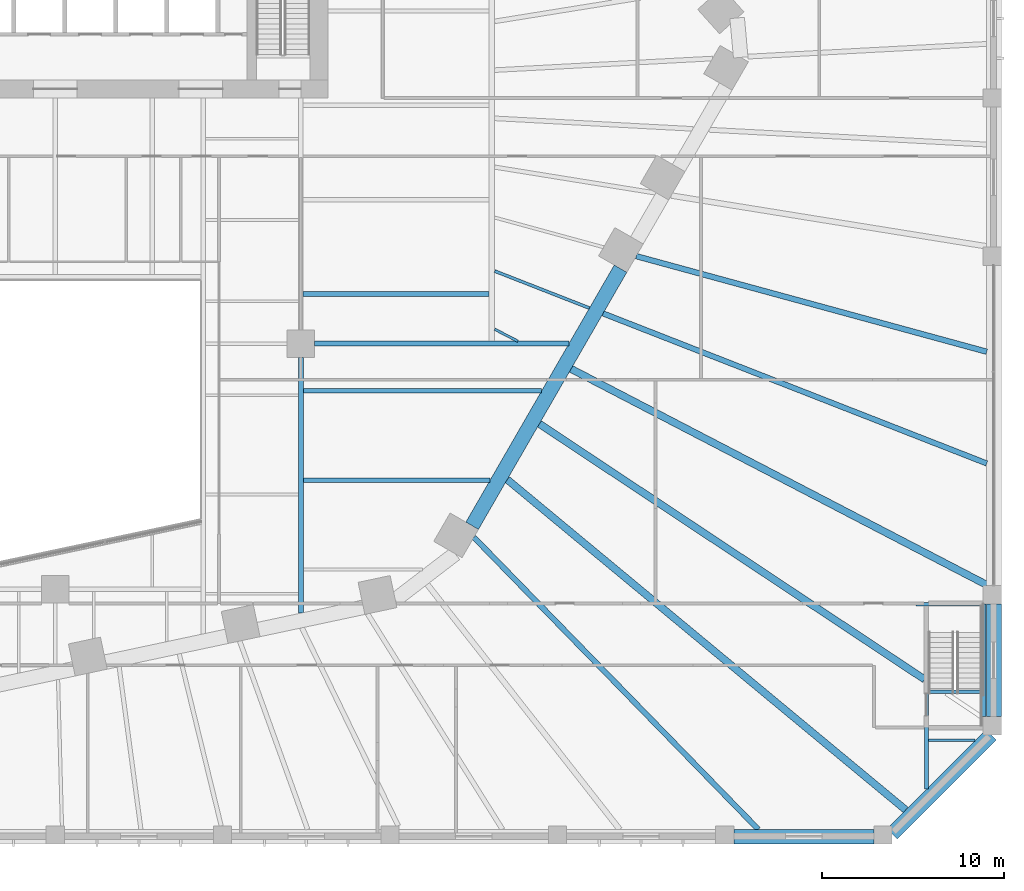
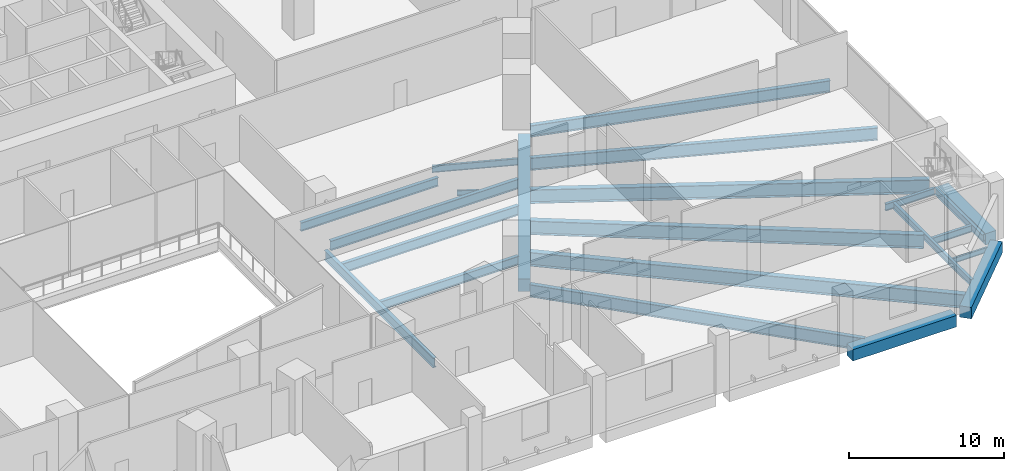
# One storey, part 7 of 33: 22 beams.
"""IFC4 building model written with IfcOpenShell, lengths in metres."""

from ifc_helpers import new_model, si_unit, direction, frame, origin, origin_2d, place, context, subcontext, project, spatial, rectangle, i_section, extrude, material, material_profile, profile_set, type_object, element, save


model = new_model("IFC4")

# Units and contexts
model_context = context("Model", 3, precision=1e-05, world=origin(), true_north=direction((0.0, 1.0)))
body_context = subcontext(model_context, "Body", "Model", "MODEL_VIEW")
ifc_project = project(units=[si_unit("LENGTHUNIT", "METRE"), si_unit("AREAUNIT", "SQUARE_METRE"), si_unit("VOLUMEUNIT", "CUBIC_METRE"), si_unit("PLANEANGLEUNIT", "RADIAN"), si_unit("MASSUNIT", "GRAM", prefix="KILO")], contexts=[model_context])

# Site, building, storey
site_placement = place(None, origin())
site = spatial("IfcSite", under=ifc_project, at=site_placement, CompositionType="ELEMENT")
building_placement = place(site_placement, origin())
building = spatial("IfcBuilding", under=site, at=building_placement, Name="Isthmus Gate Tower", CompositionType="ELEMENT")
storey_placement = place(building_placement, frame((0.0, 0.0, 31.5)))
storey = spatial("IfcBuildingStorey", under=building, at=storey_placement, Name="L05", CompositionType="ELEMENT", Elevation=31.5)

# Beams
ifc_material_1 = material(Name="Concrete f'c 70 MPa", Category="concrete")
ifc_material_profile_1 = material_profile(ifc_material_1, rectangle(XDim=0.800048828125, YDim=0.89990234375, at=origin_2d()), Name="RC 800X900")
ifc_profile_set_1 = profile_set([ifc_material_profile_1], Name="Concrete f'c 70 MPa")
beam_type_1 = type_object("IfcBeamType", Name="RC EDGE BEAM 800 X 900", PredefinedType="BEAM", material=ifc_profile_set_1)
beam_1_placement = place(storey_placement, frame((51.60009765625, -27.800048828125, -0.75), z_axis=(0.0, -1.0, 0.0), x_axis=(1.0, 0.0, 0.0)))
element("IfcBeam", 1, at=beam_1_placement, inside=storey, type_object=beam_type_1, Name="str-edgebeam-L05-26", PredefinedType="BEAM", context=body_context, shape_type="SweptSolid", body=[
    extrude(rectangle(XDim=0.800048828125, YDim=0.89990234375, at=origin_2d()), origin(), (0.0, 0.0, 1.0), 6.199951171875),
])
beam_2_placement = place(storey_placement, frame((51.434326171875, -35.0, -0.75), z_axis=(-0.707106781187, -0.707106781187, 0.0), x_axis=(0.707106781187, -0.707106781187, 0.0)))
element("IfcBeam", 2, at=beam_2_placement, inside=storey, type_object=beam_type_1, Name="str-edgebeam-L05-27", PredefinedType="BEAM", context=body_context, shape_type="SweptSolid", body=[
    extrude(rectangle(XDim=0.800048828125, YDim=0.89990234375, at=origin_2d()), origin(), (0.0, 0.0, 1.0), 7.685302734375),
])
beam_3_placement = place(storey_placement, frame((45.0, -40.60009765625, -0.75), z_axis=(-1.0, 0.0, 0.0), x_axis=(0.0, -1.0, 0.0)))
element("IfcBeam", 3, at=beam_3_placement, inside=storey, type_object=beam_type_1, Name="str-edgebeam-L05-28", PredefinedType="BEAM", context=body_context, shape_type="SweptSolid", body=[
    extrude(rectangle(XDim=0.800048828125, YDim=0.89990234375, at=origin_2d()), origin(), (0.0, 0.0, 1.0), 7.699951171875),
])
ifc_material_2 = material(Name="Concrete f'c 70 MPa", Category="concrete")
ifc_material_profile_2 = material_profile(ifc_material_2, rectangle(XDim=0.800048828125, YDim=1.0, at=origin_2d()), Name="RC 800X1000")
ifc_profile_set_2 = profile_set([ifc_material_profile_2], Name="Concrete f'c 70 MPa")
beam_type_2 = type_object("IfcBeamType", Name="RC TUBE RING BEAM 800 X 1000", PredefinedType="BEAM", material=ifc_profile_set_2)
beam_4_placement = place(storey_placement, frame((31.0732421875, -9.37939453125, -0.800048828125), z_axis=(-0.499991872758, -0.866030095999, 0.0), x_axis=(0.866030095999, -0.499991872758, 0.0)))
element("IfcBeam", 4, at=beam_4_placement, inside=storey, type_object=beam_type_2, Name="str-ringbeam-L05-08", PredefinedType="BEAM", context=body_context, shape_type="SweptSolid", body=[
    extrude(rectangle(XDim=0.800048828125, YDim=1.0, at=origin_2d()), origin(), (0.0, 0.0, 1.0), 16.315673828125),
])
ifc_material_3 = material(Name="Structural steel ASTM A992 Gr 50", Category="steel")
ifc_material_profile_3 = material_profile(ifc_material_3, i_section(OverallWidth=0.1396484375, OverallDepth=0.4033203125, WebThickness=0.00634765625, FlangeThickness=0.010986328125, at=origin_2d()), Name="W16X31")
ifc_profile_set_3 = profile_set([ifc_material_profile_3], Name="Structural steel ASTM A992 Gr 50")
beam_type_3 = type_object("IfcBeamType", Name="STEEL FLOOR BEAM W16X31", PredefinedType="JOIST", material=ifc_profile_set_3)
beam_5_placement = place(storey_placement, frame((24.15234375, -12.70458984375, -0.501708984375), z_axis=(0.887311444144, -0.46117068542, 0.0), x_axis=(0.46117068542, 0.887311444144, 0.0)))
element("IfcBeam", 5, at=beam_5_placement, inside=storey, type_object=beam_type_3, Name="str-beam-L05-19-63", PredefinedType="JOIST", context=body_context, shape_type="SweptSolid", body=[
    extrude(i_section(OverallWidth=0.1396484375, OverallDepth=0.4033203125, WebThickness=0.00634765625, FlangeThickness=0.010986328125, at=origin_2d()), origin(), (0.0, 0.0, 1.0), 1.435791015625),
])
beam_6_placement = place(storey_placement, frame((48.0, -35.301513671875, -0.501708984375), z_axis=(1.0, 0.0, 0.0), x_axis=(0.0, 1.0, 0.0)))
element("IfcBeam", 6, at=beam_6_placement, inside=storey, type_object=beam_type_3, Name="str-beam-L05-36-00", PredefinedType="JOIST", context=body_context, shape_type="SweptSolid", body=[
    extrude(i_section(OverallWidth=0.1396484375, OverallDepth=0.4033203125, WebThickness=0.00634765625, FlangeThickness=0.010986328125, at=origin_2d()), origin(), (0.0, 0.0, 1.0), 2.567138671875),
])
ifc_material_4 = material(Name="Structural steel ASTM A992 Gr 50", Category="steel")
ifc_material_profile_4 = material_profile(ifc_material_4, i_section(OverallWidth=0.1650390625, OverallDepth=0.52392578125, WebThickness=0.009521484375, FlangeThickness=0.010986328125, at=origin_2d()), Name="W21X44")
ifc_profile_set_4 = profile_set([ifc_material_profile_4], Name="Structural steel ASTM A992 Gr 50")
beam_type_4 = type_object("IfcBeamType", Name="STEEL FLOOR BEAM W21X44", PredefinedType="JOIST", material=ifc_profile_set_4)
beam_7_placement = place(storey_placement, frame((24.15234375, -9.508056640625, -0.56201171875), z_axis=(0.931344501057, -0.364139287018, 0.0), x_axis=(0.364139287018, 0.931344501057, 0.0)))
element("IfcBeam", 7, at=beam_7_placement, inside=storey, type_object=beam_type_4, Name="str-beam-L05-19-65", PredefinedType="JOIST", context=body_context, shape_type="SweptSolid", body=[
    extrude(i_section(OverallWidth=0.1650390625, OverallDepth=0.52392578125, WebThickness=0.009521484375, FlangeThickness=0.010986328125, at=origin_2d()), origin(), (0.0, 0.0, 1.0), 5.593017578125),
])
ifc_material_5 = material(Name="Structural steel ASTM A992 Gr 50", Category="steel")
ifc_material_profile_5 = material_profile(ifc_material_5, i_section(OverallWidth=0.25390625, OverallDepth=0.679443359375, WebThickness=0.010986328125, FlangeThickness=0.015869140625, at=origin_2d()), Name="W27X84")
ifc_profile_set_5 = profile_set([ifc_material_profile_5], Name="Structural steel ASTM A992 Gr 50")
beam_type_5 = type_object("IfcBeamType", Name="STEEL FLOOR BEAM W27X84", PredefinedType="JOIST", material=ifc_profile_set_5)
beam_8_placement = place(storey_placement, frame((13.6318359375, -10.772705078125, -0.6396484375), z_axis=(1.0, 0.0, 0.0), x_axis=(0.0, 1.0, 0.0)))
element("IfcBeam", 8, at=beam_8_placement, inside=storey, type_object=beam_type_5, Name="str-beam-L05-30-00", PredefinedType="JOIST", context=body_context, shape_type="SweptSolid", body=[
    extrude(i_section(OverallWidth=0.25390625, OverallDepth=0.679443359375, WebThickness=0.010986328125, FlangeThickness=0.015869140625, at=origin_2d()), origin(), (0.0, 0.0, 1.0), 10.2158203125),
])
beam_9_placement = place(storey_placement, frame((13.63330078125, -21.0078125, -0.6396484375), z_axis=(1.0, 0.0, 0.0), x_axis=(0.0, 1.0, 0.0)))
element("IfcBeam", 9, at=beam_9_placement, inside=storey, type_object=beam_type_5, Name="str-beam-L05-31-01", PredefinedType="JOIST", context=body_context, shape_type="SweptSolid", body=[
    extrude(i_section(OverallWidth=0.25390625, OverallDepth=0.679443359375, WebThickness=0.010986328125, FlangeThickness=0.015869140625, at=origin_2d()), origin(), (0.0, 0.0, 1.0), 10.264404296875),
])
ifc_material_6 = material(Name="Structural steel ASTM A992 Gr 50", Category="steel")
ifc_material_profile_6 = material_profile(ifc_material_6, i_section(OverallWidth=0.263427734375, OverallDepth=0.749267578125, WebThickness=0.0126953125, FlangeThickness=0.015869140625, at=origin_2d()), Name="W30X90")
ifc_profile_set_6 = profile_set([ifc_material_profile_6], Name="Structural steel ASTM A992 Gr 50")
beam_type_6 = type_object("IfcBeamType", Name="STEEL FLOOR BEAM W30X90", PredefinedType="JOIST", material=ifc_profile_set_6)
beam_10_placement = place(storey_placement, frame((13.63330078125, -16.091552734375, -0.674560546875), z_axis=(1.0, 0.0, 0.0), x_axis=(0.0, 1.0, 0.0)))
element("IfcBeam", 10, at=beam_10_placement, inside=storey, type_object=beam_type_6, Name="str-beam-L05-31-02", PredefinedType="JOIST", context=body_context, shape_type="SweptSolid", body=[
    extrude(i_section(OverallWidth=0.263427734375, OverallDepth=0.749267578125, WebThickness=0.0126953125, FlangeThickness=0.015869140625, at=origin_2d()), origin(), (0.0, 0.0, 1.0), 13.10302734375),
])
ifc_material_7 = material(Name="Structural steel ASTM A992 Gr 50", Category="steel")
ifc_material_profile_7 = material_profile(ifc_material_7, i_section(OverallWidth=0.3046875, OverallDepth=0.914306640625, WebThickness=0.015869140625, FlangeThickness=0.025390625, at=origin_2d()), Name="W36X160")
ifc_profile_set_7 = profile_set([ifc_material_profile_7], Name="Structural steel ASTM A992 Gr 50")
beam_type_7 = type_object("IfcBeamType", Name="STEEL FLOOR BEAM W36X160", PredefinedType="JOIST", material=ifc_profile_set_7)
beam_11_placement = place(storey_placement, frame((31.933349609375, -8.689697265625, -0.757080078125), z_axis=(0.964768617141, -0.263099820182, 0.0), x_axis=(0.263099820182, 0.964768617141, 0.0)))
element("IfcBeam", 11, at=beam_11_placement, inside=storey, type_object=beam_type_7, Name="str-beam-L05-19-68", PredefinedType="JOIST", context=body_context, shape_type="SweptSolid", body=[
    extrude(i_section(OverallWidth=0.3046875, OverallDepth=0.914306640625, WebThickness=0.015869140625, FlangeThickness=0.025390625, at=origin_2d()), origin(), (0.0, 0.0, 1.0), 19.97021484375),
])
ifc_material_8 = material(Name="Structural steel ASTM A992 Gr 50", Category="steel")
ifc_material_profile_8 = material_profile(ifc_material_8, i_section(OverallWidth=0.29833984375, OverallDepth=0.981201171875, WebThickness=0.015869140625, FlangeThickness=0.025390625, at=origin_2d()), Name="W40X167")
ifc_profile_set_8 = profile_set([ifc_material_profile_8], Name="Structural steel ASTM A992 Gr 50")
beam_type_8 = type_object("IfcBeamType", Name="STEEL FLOOR BEAM W40X167", PredefinedType="JOIST", material=ifc_profile_set_8)
beam_12_placement = place(storey_placement, frame((23.011474609375, -24.14306640625, -0.79052734375), z_axis=(0.697632134524, -0.716456143026, 0.0), x_axis=(0.716456143026, 0.697632134524, 0.0)))
element("IfcBeam", 12, at=beam_12_placement, inside=storey, type_object=beam_type_8, Name="str-beam-L05-19-60", PredefinedType="JOIST", context=body_context, shape_type="SweptSolid", body=[
    extrude(i_section(OverallWidth=0.29833984375, OverallDepth=0.981201171875, WebThickness=0.015869140625, FlangeThickness=0.025390625, at=origin_2d()), origin(), (0.0, 0.0, 1.0), 22.41162109375),
])
beam_13_placement = place(storey_placement, frame((30.114990234375, -11.83935546875, -0.79052734375), z_axis=(0.931336462339, -0.364159846658, 0.0), x_axis=(0.364159846658, 0.931336462339, 0.0)))
element("IfcBeam", 13, at=beam_13_placement, inside=storey, type_object=beam_type_8, Name="str-beam-L05-19-66", PredefinedType="JOIST", context=body_context, shape_type="SweptSolid", body=[
    extrude(i_section(OverallWidth=0.29833984375, OverallDepth=0.981201171875, WebThickness=0.015869140625, FlangeThickness=0.025390625, at=origin_2d()), origin(), (0.0, 0.0, 1.0), 22.639404296875),
])
ifc_material_9 = material(Name="Structural steel ASTM A992 Gr 50", Category="steel")
ifc_material_profile_9 = material_profile(ifc_material_9, i_section(OverallWidth=0.39990234375, OverallDepth=1.089111328125, WebThickness=0.017578125, FlangeThickness=0.03173828125, at=origin_2d()), Name="W44X230")
ifc_profile_set_9 = profile_set([ifc_material_profile_9], Name="Structural steel ASTM A992 Gr 50")
beam_type_9 = type_object("IfcBeamType", Name="STEEL FLOOR BEAM W44X230", PredefinedType="JOIST", material=ifc_profile_set_9)
beam_14_placement = place(storey_placement, frame((24.843994140625, -20.968994140625, -0.844482421875), z_axis=(0.769831187621, -0.638247555864, 0.0), x_axis=(0.638247555864, 0.769831187621, 0.0)))
element("IfcBeam", 14, at=beam_14_placement, inside=storey, type_object=beam_type_9, Name="str-beam-L05-19-61", PredefinedType="JOIST", context=body_context, shape_type="SweptSolid", body=[
    extrude(i_section(OverallWidth=0.39990234375, OverallDepth=1.089111328125, WebThickness=0.017578125, FlangeThickness=0.03173828125, at=origin_2d()), origin(), (0.0, 0.0, 1.0), 28.447021484375),
])
beam_15_placement = place(storey_placement, frame((26.611083984375, -17.908447265625, -0.844482421875), z_axis=(0.833311666226, -0.552803461397, 0.0), x_axis=(0.552803461397, 0.833311666226, 0.0)))
element("IfcBeam", 15, at=beam_15_placement, inside=storey, type_object=beam_type_9, Name="str-beam-L05-19-62", PredefinedType="JOIST", context=body_context, shape_type="SweptSolid", body=[
    extrude(i_section(OverallWidth=0.39990234375, OverallDepth=1.089111328125, WebThickness=0.017578125, FlangeThickness=0.03173828125, at=origin_2d()), origin(), (0.0, 0.0, 1.0), 25.416015625),
])
beam_16_placement = place(storey_placement, frame((28.354736328125, -14.888427734375, -0.844482421875), z_axis=(0.887354478981, -0.461087875174, 0.0), x_axis=(0.461087875174, 0.887354478981, 0.0)))
element("IfcBeam", 16, at=beam_16_placement, inside=storey, type_object=beam_type_9, Name="str-beam-L05-19-64", PredefinedType="JOIST", context=body_context, shape_type="SweptSolid", body=[
    extrude(i_section(OverallWidth=0.39990234375, OverallDepth=1.089111328125, WebThickness=0.017578125, FlangeThickness=0.03173828125, at=origin_2d()), origin(), (0.0, 0.0, 1.0), 25.745361328125),
])
ifc_material_10 = material(Name="Structural steel ASTM A992 Gr 50", Category="steel")
ifc_material_profile_10 = material_profile(ifc_material_10, i_section(OverallWidth=0.2666015625, OverallDepth=0.7587890625, WebThickness=0.014404296875, FlangeThickness=0.01904296875, at=origin_2d()), Name="W30X108")
ifc_profile_set_10 = profile_set([ifc_material_profile_10], Name="Structural steel ASTM A992 Gr 50")
beam_type_10 = type_object("IfcBeamType", Name="STEEL GIRDER W30X108", PredefinedType="BEAM", material=ifc_profile_set_10)
beam_17_placement = place(storey_placement, frame((14.25, -13.5, -0.679443359375), z_axis=(1.0, 0.0, 0.0), x_axis=(0.0, 1.0, 0.0)))
element("IfcBeam", 17, at=beam_17_placement, inside=storey, type_object=beam_type_10, Name="str-girder-L05-08", PredefinedType="BEAM", context=body_context, shape_type="SweptSolid", body=[
    extrude(i_section(OverallWidth=0.2666015625, OverallDepth=0.7587890625, WebThickness=0.014404296875, FlangeThickness=0.01904296875, at=origin_2d()), origin(), (0.0, 0.0, 1.0), 13.982421875),
])
beam_18_placement = place(storey_placement, frame((13.5, -28.3125, -0.679443359375), z_axis=(0.0, 1.0, 0.0), x_axis=(-1.0, 0.0, 0.0)))
element("IfcBeam", 18, at=beam_18_placement, inside=storey, type_object=beam_type_10, Name="str-girder-L05-31", PredefinedType="BEAM", context=body_context, shape_type="SweptSolid", body=[
    extrude(i_section(OverallWidth=0.2666015625, OverallDepth=0.7587890625, WebThickness=0.014404296875, FlangeThickness=0.01904296875, at=origin_2d()), origin(), (0.0, 0.0, 1.0), 14.0625),
])
ifc_material_11 = material(Name="Structural steel ASTM A992 Gr 50", Category="steel")
ifc_material_profile_11 = material_profile(ifc_material_11, i_section(OverallWidth=0.20947265625, OverallDepth=0.533447265625, WebThickness=0.009521484375, FlangeThickness=0.015869140625, at=origin_2d()), Name="W21X62")
ifc_profile_set_11 = profile_set([ifc_material_profile_11], Name="Structural steel ASTM A992 Gr 50")
beam_type_11 = type_object("IfcBeamType", Name="STEEL TRIMMER W21X62", PredefinedType="BEAM", material=ifc_profile_set_11)
beam_19_placement = place(storey_placement, frame((51.0546875, -34.0, -0.566650390625), z_axis=(0.0, 1.0, 0.0), x_axis=(-1.0, 0.0, 0.0)))
element("IfcBeam", 19, at=beam_19_placement, inside=storey, type_object=beam_type_11, Name="str-trimmer-L05-05", PredefinedType="BEAM", context=body_context, shape_type="SweptSolid", body=[
    extrude(i_section(OverallWidth=0.20947265625, OverallDepth=0.533447265625, WebThickness=0.009521484375, FlangeThickness=0.015869140625, at=origin_2d()), origin(), (0.0, 0.0, 1.0), 6.199951171875),
])
beam_20_placement = place(storey_placement, frame((47.895263671875, -27.928955078125, -0.566650390625), z_axis=(0.0, -1.0, 0.0), x_axis=(1.0, 0.0, 0.0)))
element("IfcBeam", 20, at=beam_20_placement, inside=storey, type_object=beam_type_11, Name="str-trimmer-L05-06", PredefinedType="BEAM", context=body_context, shape_type="SweptSolid", body=[
    extrude(i_section(OverallWidth=0.20947265625, OverallDepth=0.533447265625, WebThickness=0.009521484375, FlangeThickness=0.015869140625, at=origin_2d()), origin(), (0.0, 0.0, 1.0), 10.04443359375),
])
beam_21_placement = place(storey_placement, frame((50.949951171875, -27.82421875, -0.566650390625), z_axis=(-1.0, 0.0, 0.0), x_axis=(0.0, -1.0, 0.0)))
element("IfcBeam", 21, at=beam_21_placement, inside=storey, type_object=beam_type_11, Name="str-trimmer-L05-15", PredefinedType="BEAM", context=body_context, shape_type="SweptSolid", body=[
    extrude(i_section(OverallWidth=0.20947265625, OverallDepth=0.533447265625, WebThickness=0.009521484375, FlangeThickness=0.015869140625, at=origin_2d()), origin(), (0.0, 0.0, 1.0), 3.64990234375),
])
beam_22_placement = place(storey_placement, frame((48.0, -32.629638671875, -0.566650390625), z_axis=(1.0, 0.0, 0.0), x_axis=(0.0, 1.0, 0.0)))
element("IfcBeam", 22, at=beam_22_placement, inside=storey, type_object=beam_type_11, Name="str-trimmer-L05-16", PredefinedType="BEAM", context=body_context, shape_type="SweptSolid", body=[
    extrude(i_section(OverallWidth=0.20947265625, OverallDepth=0.533447265625, WebThickness=0.009521484375, FlangeThickness=0.015869140625, at=origin_2d()), origin(), (0.0, 0.0, 1.0), 2.949951171875),
])

save(model, "model.ifc")
